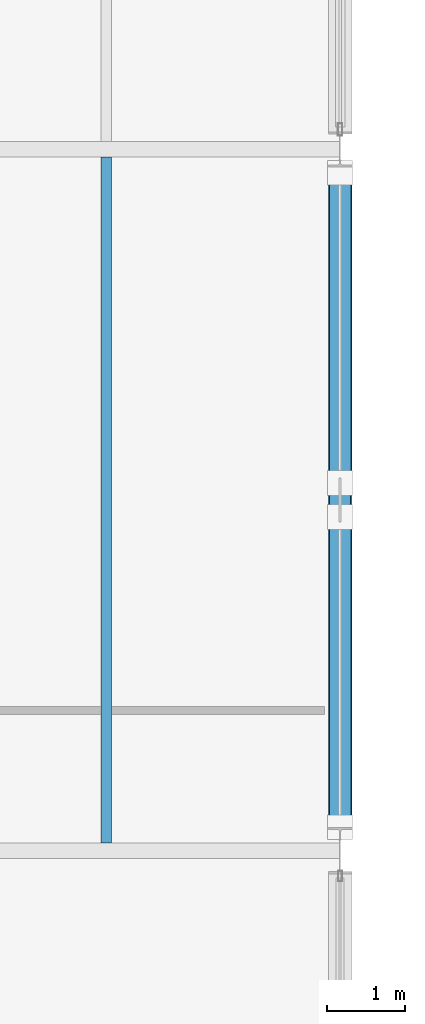
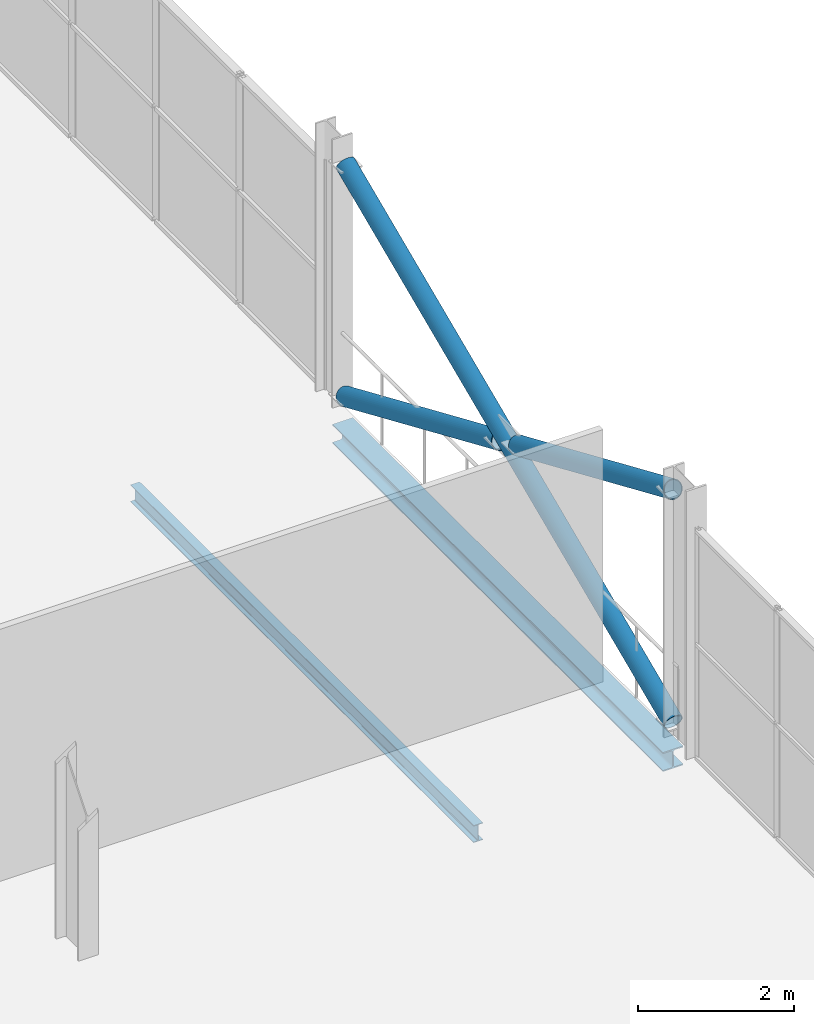
# One storey, part 96 of 135: 3 members, 2 beams.
"""IFC4 building model written with IfcOpenShell, lengths in metres."""

from ifc_helpers import new_model, si_unit, direction, frame, origin, origin_2d, place, context, subcontext, project, spatial, hollow_circle, i_section, extrude, material, material_profile, profile_set, type_object, element, save


model = new_model("IFC4")

# Units and contexts
model_context = context("Model", 3, precision=1e-05, world=origin(), true_north=direction((0.0, 1.0)))
body_context = subcontext(model_context, "Body", "Model", "MODEL_VIEW")
ifc_project = project(units=[si_unit("LENGTHUNIT", "METRE"), si_unit("AREAUNIT", "SQUARE_METRE"), si_unit("VOLUMEUNIT", "CUBIC_METRE"), si_unit("PLANEANGLEUNIT", "RADIAN"), si_unit("MASSUNIT", "GRAM", prefix="KILO")], contexts=[model_context])

# Site, building, storey
site_placement = place(None, origin())
site = spatial("IfcSite", under=ifc_project, at=site_placement, CompositionType="ELEMENT")
building_placement = place(site_placement, origin())
building = spatial("IfcBuilding", under=site, at=building_placement, Name="Deido Ridge Mobility Hub", CompositionType="ELEMENT")
storey_placement = place(building_placement, frame((0.0, 0.0, 4.199951171875)))
storey = spatial("IfcBuildingStorey", under=building, at=storey_placement, Name="L01", CompositionType="ELEMENT", Elevation=4.199951171875)

# Beam
ifc_material_1 = material(Name="Steel S355J2 EN 10025-2", Category="steel")
ifc_material_profile_1 = material_profile(ifc_material_1, i_section(OverallWidth=0.135009765625, OverallDepth=0.27001953125, WebThickness=0.006591796875, FlangeThickness=0.01025390625, FilletRadius=0.014892578125, at=origin_2d()), Name="IPE 270")
ifc_profile_set_1 = profile_set([ifc_material_profile_1], Name="Steel S355J2 EN 10025-2")
beam_type_1 = type_object("IfcBeamType", Name="JST-IPE270", PredefinedType="JOIST", material=ifc_profile_set_1)
beam_1_placement = place(storey_placement, frame((177.0, 54.10009765625, -0.385009765625), z_axis=(0.0, 1.0, 0.0), x_axis=(-1.0, 0.0, 0.0)))
element("IfcBeam", 1, at=beam_1_placement, inside=storey, type_object=beam_type_1, Name="Composite joist J4", PredefinedType="JOIST", context=body_context, shape_type="SweptSolid", body=[
    extrude(i_section(OverallWidth=0.135009765625, OverallDepth=0.27001953125, WebThickness=0.006591796875, FlangeThickness=0.01025390625, FilletRadius=0.014892578125, at=origin_2d()), origin(), (0.0, 0.0, 1.0), 8.7998046875),
])

# Members
ifc_material_2 = material(Name="Steel S355J2H EN 10210-1", Category="steel")
ifc_material_profile_2 = material_profile(ifc_material_2, hollow_circle(Radius=0.136474609375, WallThickness=0.012451171875, at=origin_2d()), Name="CHS 273x12.5")
ifc_profile_set_2 = profile_set([ifc_material_profile_2], Name="Steel S355J2H EN 10210-1")
member_type = type_object("IfcMemberType", Name="MEM-BRC-CHS273", PredefinedType="BRACE", material=ifc_profile_set_2)
member_placement = place(storey_placement, frame((180.0, 54.300048828125, 0.179931640625), z_axis=(0.0, 0.91754849034, 0.397623902545), x_axis=(-1.0, 0.0, 0.0)))
element("IfcMember", 2, at=member_placement, inside=storey, type_object=member_type, Name="Continuous X-brace diagonal BR1", PredefinedType="BRACE", context=body_context, shape_type="SweptSolid", body=[
    extrude(hollow_circle(Radius=0.136474609375, WallThickness=0.012451171875, at=origin_2d()), origin(), (0.0, 0.0, 1.0), 9.15478515625),
])
for number, where, z_axis, x_axis, name in (
    (3, (180.0, 62.699951171875, 0.179931640625), (0.0, -0.917550833654, 0.397618495119), (1.0, 0.0, 0.0), "Split X-brace diagonal segment BR1"),
    (4, (180.0, 58.27978515625, 2.095458984375), (0.0, -0.917550833654, 0.397618495119), (1.0, 0.0, 0.0), "Split X-brace diagonal segment BR1"),
):
    element("IfcMember", number, at=place(storey_placement, frame(where, z_axis=z_axis, x_axis=x_axis)), inside=storey, type_object=member_type, Name=name, PredefinedType="BRACE", context=body_context, shape_type="SweptSolid", body=[
        extrude(hollow_circle(Radius=0.136474609375, WallThickness=0.012451171875, at=origin_2d()), origin(), (0.0, 0.0, 1.0), 4.33740234375),
    ])

# Beam
ifc_material_profile_3 = material_profile(ifc_material_1, i_section(OverallWidth=0.300048828125, OverallDepth=0.300048828125, WebThickness=0.010986328125, FlangeThickness=0.01904296875, FilletRadius=0.027099609375, at=origin_2d()), Name="HEB 300")
ifc_profile_set_3 = profile_set([ifc_material_profile_3], Name="Steel S355J2 EN 10025-2")
beam_type_2 = type_object("IfcBeamType", Name="SPD-HEB300", PredefinedType="SPANDREL", material=ifc_profile_set_3)
beam_2_placement = place(storey_placement, frame((180.0, 54.300048828125, -0.39990234375), z_axis=(0.0, 1.0, 0.0), x_axis=(-1.0, 0.0, 0.0)))
element("IfcBeam", 5, at=beam_2_placement, inside=storey, type_object=beam_type_2, Name="Floor beam SP1", PredefinedType="SPANDREL", context=body_context, shape_type="SweptSolid", body=[
    extrude(i_section(OverallWidth=0.300048828125, OverallDepth=0.300048828125, WebThickness=0.010986328125, FlangeThickness=0.01904296875, FilletRadius=0.027099609375, at=origin_2d()), origin(), (0.0, 0.0, 1.0), 8.474853515625),
])

save(model, "model.ifc")
